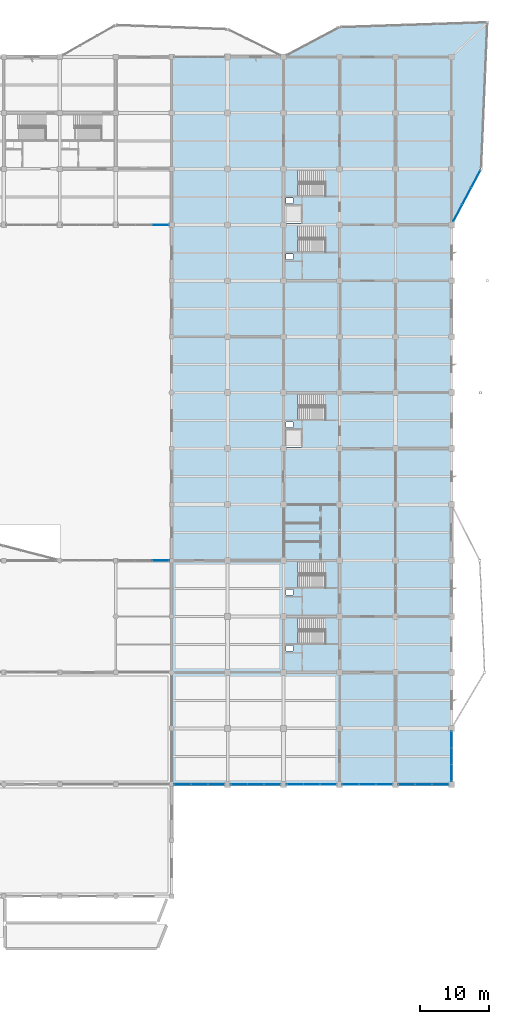
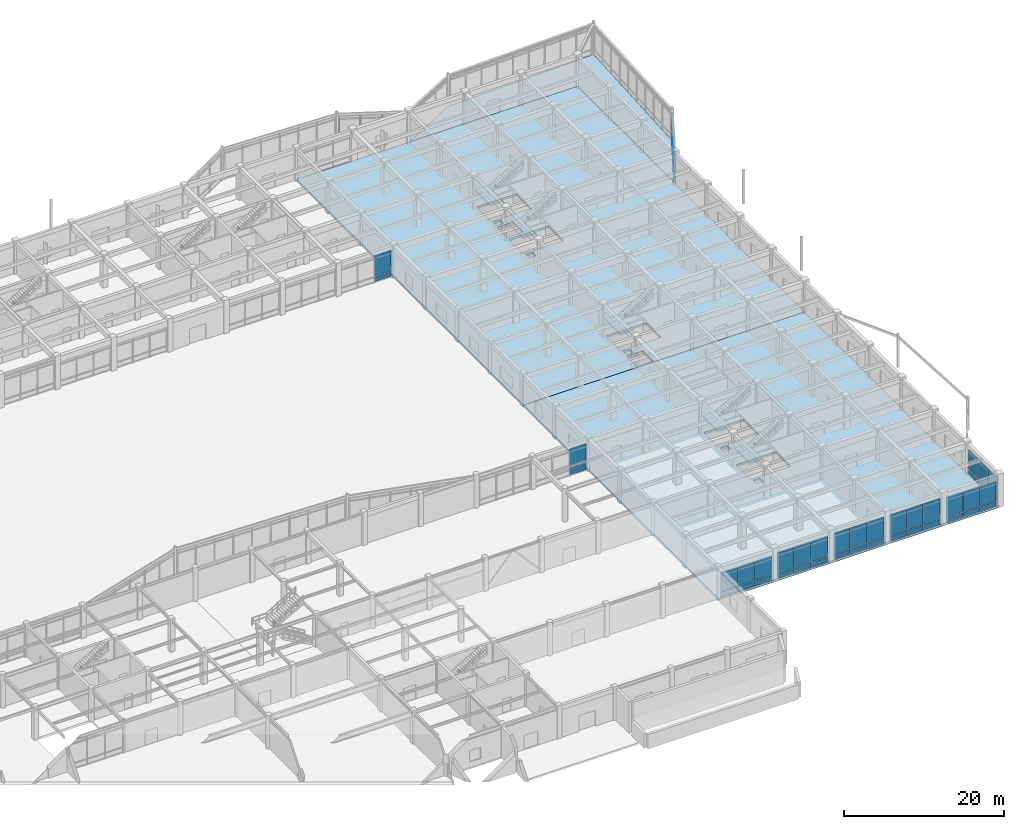
# One storey, part 55 of 99: 46 plates, 8 slabs, 14 elements without a shape of their own.
"""IFC4 building model written with IfcOpenShell, lengths in metres."""

from ifc_helpers import new_model, si_unit, direction, frame, origin, origin_2d, place, context, subcontext, project, spatial, polyline, rectangle, outline, extrude, material, layer, layer_set, type_object, element, aggregate, save


model = new_model("IFC4")

# Units and contexts
model_context = context("Model", 3, precision=1e-05, world=origin(), true_north=direction((0.0, 1.0)))
body_context = subcontext(model_context, "Body", "Model", "MODEL_VIEW")
ifc_project = project(units=[si_unit("LENGTHUNIT", "METRE"), si_unit("AREAUNIT", "SQUARE_METRE"), si_unit("VOLUMEUNIT", "CUBIC_METRE"), si_unit("PLANEANGLEUNIT", "RADIAN"), si_unit("MASSUNIT", "GRAM", prefix="KILO")], contexts=[model_context])

# Site, building, storey
site_placement = place(None, origin())
site = spatial("IfcSite", under=ifc_project, at=site_placement, CompositionType="ELEMENT")
building_placement = place(site_placement, origin())
building = spatial("IfcBuilding", under=site, at=building_placement, Name="Vaudrelin Polytechnic", CompositionType="ELEMENT")
storey_placement = place(building_placement, origin())
storey = spatial("IfcBuildingStorey", under=building, at=storey_placement, Name="L00", CompositionType="ELEMENT", Elevation=0.0)

# Curtain wall, plates
ifc_material_1 = material(Name="Thermally broken anodised aluminium AA 6063-T6 and low-e triple glazing", Category="aluminium")
ifc_layer_1 = layer(ifc_material_1, 0.199951171875)
ifc_layer_set_1 = layer_set([ifc_layer_1], Name="Thermally broken anodised aluminium AA 6063-T6 and low-e triple glazing")
curtain_wall_type_1 = type_object("IfcCurtainWallType", Name="CW-CW-LAB", PredefinedType="USERDEFINED", material=ifc_layer_set_1)
curtain_wall_1_placement = place(storey_placement, origin())
curtain_wall_1 = element("IfcCurtainWall", 1, at=curtain_wall_1_placement, inside=storey, type_object=curtain_wall_type_1, Name="Curtain wall L00 E_V4_00", ObjectType="CURTAIN WALL", PredefinedType="USERDEFINED")
ifc_material_2 = material(Name="Insulated ceramic-frit spandrel glass panel", Category="glass")
ifc_layer_2 = layer(ifc_material_2, 0.052001953125)
ifc_layer_set_2 = layer_set([ifc_layer_2], Name="Insulated ceramic-frit spandrel glass panel")
plate_type_1 = type_object("IfcPlateType", Name="PLT-GLZ-SPAND", PredefinedType="CURTAIN_PANEL", material=ifc_layer_set_2)
plate_1_placement = place(storey_placement, frame((170.10009765625, 17.83203125, 0.08984375), z_axis=(0.0, 0.0, 1.0), x_axis=(0.0, 1.0, 0.0)))
plate_1 = element("IfcPlate", 2, at=plate_1_placement, type_object=plate_type_1, Name="E_V4_00 spandrel panel 1", PredefinedType="CURTAIN_PANEL", context=body_context, shape_type="SweptSolid", body=[
    extrude(rectangle(XDim=2.318115234375, YDim=0.052001953125, at=origin_2d()), origin(), (0.0, 0.0, 1.0), 0.699951171875),
])
plate_2_placement = place(storey_placement, frame((170.10009765625, 20.25, 0.08984375), z_axis=(0.0, 0.0, 1.0), x_axis=(0.0, 1.0, 0.0)))
plate_2 = element("IfcPlate", 3, at=plate_2_placement, type_object=plate_type_1, Name="E_V4_00 spandrel panel 2", PredefinedType="CURTAIN_PANEL", context=body_context, shape_type="SweptSolid", body=[
    extrude(rectangle(XDim=2.318115234375, YDim=0.052001953125, at=origin_2d()), origin(), (0.0, 0.0, 1.0), 0.699951171875),
])
plate_3_placement = place(storey_placement, frame((170.10009765625, 22.66796875, 0.08984375), z_axis=(0.0, 0.0, 1.0), x_axis=(0.0, 1.0, 0.0)))
plate_3 = element("IfcPlate", 4, at=plate_3_placement, type_object=plate_type_1, Name="E_V4_00 spandrel panel 3", PredefinedType="CURTAIN_PANEL", context=body_context, shape_type="SweptSolid", body=[
    extrude(rectangle(XDim=2.318115234375, YDim=0.052001953125, at=origin_2d()), origin(), (0.0, 0.0, 1.0), 0.699951171875),
])

curtain_wall_2_placement = place(storey_placement, origin())
curtain_wall_2 = element("IfcCurtainWall", 5, at=curtain_wall_2_placement, inside=storey, type_object=curtain_wall_type_1, Name="Curtain wall L00 S_V4_00", ObjectType="CURTAIN WALL", PredefinedType="USERDEFINED")
plate_4_placement = place(storey_placement, frame((131.148681640625, 16.199951171875, 0.08984375), z_axis=(0.0, 0.0, 1.0), x_axis=(1.0, 0.0, 0.0)))
plate_4 = element("IfcPlate", 6, at=plate_4_placement, type_object=plate_type_1, Name="S_V4_00 spandrel panel 1", PredefinedType="CURTAIN_PANEL", context=body_context, shape_type="SweptSolid", body=[
    extrude(rectangle(XDim=2.351318359375, YDim=0.052001953125, at=origin_2d()), origin(), (0.0, 0.0, 1.0), 0.699951171875),
])
plate_5_placement = place(storey_placement, frame((133.60009765625, 16.199951171875, 0.08984375), z_axis=(0.0, 0.0, 1.0), x_axis=(1.0, 0.0, 0.0)))
plate_5 = element("IfcPlate", 7, at=plate_5_placement, type_object=plate_type_1, Name="S_V4_00 spandrel panel 2", PredefinedType="CURTAIN_PANEL", context=body_context, shape_type="SweptSolid", body=[
    extrude(rectangle(XDim=2.351318359375, YDim=0.052001953125, at=origin_2d()), origin(), (0.0, 0.0, 1.0), 0.699951171875),
])
plate_6_placement = place(storey_placement, frame((136.05126953125, 16.199951171875, 0.08984375), z_axis=(0.0, 0.0, 1.0), x_axis=(1.0, 0.0, 0.0)))
plate_6 = element("IfcPlate", 8, at=plate_6_placement, type_object=plate_type_1, Name="S_V4_00 spandrel panel 3", PredefinedType="CURTAIN_PANEL", context=body_context, shape_type="SweptSolid", body=[
    extrude(rectangle(XDim=2.351318359375, YDim=0.052001953125, at=origin_2d()), origin(), (0.0, 0.0, 1.0), 0.699951171875),
])

curtain_wall_3_placement = place(storey_placement, origin())
curtain_wall_3 = element("IfcCurtainWall", 9, at=curtain_wall_3_placement, inside=storey, type_object=curtain_wall_type_1, Name="Curtain wall L00 S_V4_01", ObjectType="CURTAIN WALL", PredefinedType="USERDEFINED")
plate_7_placement = place(storey_placement, frame((139.33203125, 16.199951171875, 0.08984375), z_axis=(0.0, 0.0, 1.0), x_axis=(1.0, 0.0, 0.0)))
plate_7 = element("IfcPlate", 10, at=plate_7_placement, type_object=plate_type_1, Name="S_V4_01 spandrel panel 1", PredefinedType="CURTAIN_PANEL", context=body_context, shape_type="SweptSolid", body=[
    extrude(rectangle(XDim=2.318115234375, YDim=0.052001953125, at=origin_2d()), origin(), (0.0, 0.0, 1.0), 0.699951171875),
])
plate_8_placement = place(storey_placement, frame((141.75, 16.199951171875, 0.08984375), z_axis=(0.0, 0.0, 1.0), x_axis=(1.0, 0.0, 0.0)))
plate_8 = element("IfcPlate", 11, at=plate_8_placement, type_object=plate_type_1, Name="S_V4_01 spandrel panel 2", PredefinedType="CURTAIN_PANEL", context=body_context, shape_type="SweptSolid", body=[
    extrude(rectangle(XDim=2.318115234375, YDim=0.052001953125, at=origin_2d()), origin(), (0.0, 0.0, 1.0), 0.699951171875),
])
plate_9_placement = place(storey_placement, frame((144.16796875, 16.199951171875, 0.08984375), z_axis=(0.0, 0.0, 1.0), x_axis=(1.0, 0.0, 0.0)))
plate_9 = element("IfcPlate", 12, at=plate_9_placement, type_object=plate_type_1, Name="S_V4_01 spandrel panel 3", PredefinedType="CURTAIN_PANEL", context=body_context, shape_type="SweptSolid", body=[
    extrude(rectangle(XDim=2.318115234375, YDim=0.052001953125, at=origin_2d()), origin(), (0.0, 0.0, 1.0), 0.699951171875),
])

curtain_wall_4_placement = place(storey_placement, origin())
curtain_wall_4 = element("IfcCurtainWall", 13, at=curtain_wall_4_placement, inside=storey, type_object=curtain_wall_type_1, Name="Curtain wall L00 S_V4_02", ObjectType="CURTAIN WALL", PredefinedType="USERDEFINED")
plate_10_placement = place(storey_placement, frame((147.431884765625, 16.199951171875, 0.08984375), z_axis=(0.0, 0.0, 1.0), x_axis=(1.0, 0.0, 0.0)))
plate_10 = element("IfcPlate", 14, at=plate_10_placement, type_object=plate_type_1, Name="S_V4_02 spandrel panel 1", PredefinedType="CURTAIN_PANEL", context=body_context, shape_type="SweptSolid", body=[
    extrude(rectangle(XDim=2.318115234375, YDim=0.052001953125, at=origin_2d()), origin(), (0.0, 0.0, 1.0), 0.699951171875),
])
plate_11_placement = place(storey_placement, frame((149.85009765625, 16.199951171875, 0.08984375), z_axis=(0.0, 0.0, 1.0), x_axis=(1.0, 0.0, 0.0)))
plate_11 = element("IfcPlate", 15, at=plate_11_placement, type_object=plate_type_1, Name="S_V4_02 spandrel panel 2", PredefinedType="CURTAIN_PANEL", context=body_context, shape_type="SweptSolid", body=[
    extrude(rectangle(XDim=2.318115234375, YDim=0.052001953125, at=origin_2d()), origin(), (0.0, 0.0, 1.0), 0.699951171875),
])
plate_12_placement = place(storey_placement, frame((152.26806640625, 16.199951171875, 0.08984375), z_axis=(0.0, 0.0, 1.0), x_axis=(1.0, 0.0, 0.0)))
plate_12 = element("IfcPlate", 16, at=plate_12_placement, type_object=plate_type_1, Name="S_V4_02 spandrel panel 3", PredefinedType="CURTAIN_PANEL", context=body_context, shape_type="SweptSolid", body=[
    extrude(rectangle(XDim=2.318115234375, YDim=0.052001953125, at=origin_2d()), origin(), (0.0, 0.0, 1.0), 0.699951171875),
])

curtain_wall_5_placement = place(storey_placement, origin())
curtain_wall_5 = element("IfcCurtainWall", 17, at=curtain_wall_5_placement, inside=storey, type_object=curtain_wall_type_1, Name="Curtain wall L00 S_V4_03", ObjectType="CURTAIN WALL", PredefinedType="USERDEFINED")
plate_13_placement = place(storey_placement, frame((155.531982421875, 16.199951171875, 0.08984375), z_axis=(0.0, 0.0, 1.0), x_axis=(1.0, 0.0, 0.0)))
plate_13 = element("IfcPlate", 18, at=plate_13_placement, type_object=plate_type_1, Name="S_V4_03 spandrel panel 1", PredefinedType="CURTAIN_PANEL", context=body_context, shape_type="SweptSolid", body=[
    extrude(rectangle(XDim=2.318115234375, YDim=0.052001953125, at=origin_2d()), origin(), (0.0, 0.0, 1.0), 0.699951171875),
])
plate_14_placement = place(storey_placement, frame((157.949951171875, 16.199951171875, 0.08984375), z_axis=(0.0, 0.0, 1.0), x_axis=(1.0, 0.0, 0.0)))
plate_14 = element("IfcPlate", 19, at=plate_14_placement, type_object=plate_type_1, Name="S_V4_03 spandrel panel 2", PredefinedType="CURTAIN_PANEL", context=body_context, shape_type="SweptSolid", body=[
    extrude(rectangle(XDim=2.318115234375, YDim=0.052001953125, at=origin_2d()), origin(), (0.0, 0.0, 1.0), 0.699951171875),
])
plate_15_placement = place(storey_placement, frame((160.367919921875, 16.199951171875, 0.08984375), z_axis=(0.0, 0.0, 1.0), x_axis=(1.0, 0.0, 0.0)))
plate_15 = element("IfcPlate", 20, at=plate_15_placement, type_object=plate_type_1, Name="S_V4_03 spandrel panel 3", PredefinedType="CURTAIN_PANEL", context=body_context, shape_type="SweptSolid", body=[
    extrude(rectangle(XDim=2.318115234375, YDim=0.052001953125, at=origin_2d()), origin(), (0.0, 0.0, 1.0), 0.699951171875),
])

curtain_wall_6_placement = place(storey_placement, origin())
curtain_wall_6 = element("IfcCurtainWall", 21, at=curtain_wall_6_placement, inside=storey, type_object=curtain_wall_type_1, Name="Curtain wall L00 S_V4_04", ObjectType="CURTAIN WALL", PredefinedType="USERDEFINED")
plate_16_placement = place(storey_placement, frame((163.632080078125, 16.199951171875, 0.08984375), z_axis=(0.0, 0.0, 1.0), x_axis=(1.0, 0.0, 0.0)))
plate_16 = element("IfcPlate", 22, at=plate_16_placement, type_object=plate_type_1, Name="S_V4_04 spandrel panel 1", PredefinedType="CURTAIN_PANEL", context=body_context, shape_type="SweptSolid", body=[
    extrude(rectangle(XDim=2.318115234375, YDim=0.052001953125, at=origin_2d()), origin(), (0.0, 0.0, 1.0), 0.699951171875),
])
plate_17_placement = place(storey_placement, frame((166.050048828125, 16.199951171875, 0.08984375), z_axis=(0.0, 0.0, 1.0), x_axis=(1.0, 0.0, 0.0)))
plate_17 = element("IfcPlate", 23, at=plate_17_placement, type_object=plate_type_1, Name="S_V4_04 spandrel panel 2", PredefinedType="CURTAIN_PANEL", context=body_context, shape_type="SweptSolid", body=[
    extrude(rectangle(XDim=2.318115234375, YDim=0.052001953125, at=origin_2d()), origin(), (0.0, 0.0, 1.0), 0.699951171875),
])
plate_18_placement = place(storey_placement, frame((168.468017578125, 16.199951171875, 0.08984375), z_axis=(0.0, 0.0, 1.0), x_axis=(1.0, 0.0, 0.0)))
plate_18 = element("IfcPlate", 24, at=plate_18_placement, type_object=plate_type_1, Name="S_V4_04 spandrel panel 3", PredefinedType="CURTAIN_PANEL", context=body_context, shape_type="SweptSolid", body=[
    extrude(rectangle(XDim=2.318115234375, YDim=0.052001953125, at=origin_2d()), origin(), (0.0, 0.0, 1.0), 0.699951171875),
])

# Curtain wall, plate
ifc_layer_3 = layer(ifc_material_1, 0.199951171875)
ifc_layer_set_3 = layer_set([ifc_layer_3], Name="Thermally broken anodised aluminium AA 6063-T6 and low-e triple glazing")
curtain_wall_type_2 = type_object("IfcCurtainWallType", Name="CW-CW-WG", PredefinedType="USERDEFINED", material=ifc_layer_set_3)
curtain_wall_7_placement = place(storey_placement, origin())
curtain_wall_7 = element("IfcCurtainWall", 25, at=curtain_wall_7_placement, inside=storey, type_object=curtain_wall_type_2, Name="Curtain wall L00 CT_S_10", ObjectType="CURTAIN WALL", PredefinedType="USERDEFINED")
plate_19_placement = place(storey_placement, frame((128.03466796875, 48.60009765625, 0.08984375), z_axis=(0.0, 0.0, 1.0), x_axis=(1.0, 0.0, 0.0)))
plate_19 = element("IfcPlate", 26, at=plate_19_placement, type_object=plate_type_1, Name="CT_S_10 spandrel panel 3", PredefinedType="CURTAIN_PANEL", context=body_context, shape_type="SweptSolid", body=[
    extrude(rectangle(XDim=2.384765625, YDim=0.052001953125, at=origin_2d()), origin(), (0.0, 0.0, 1.0), 0.699951171875),
])

ifc_layer_4 = layer(ifc_material_1, 0.199951171875)
ifc_layer_set_4 = layer_set([ifc_layer_4], Name="Thermally broken anodised aluminium AA 6063-T6 and low-e triple glazing")
curtain_wall_type_3 = type_object("IfcCurtainWallType", Name="CW-CW-LIB", PredefinedType="USERDEFINED", material=ifc_layer_set_4)
curtain_wall_8_placement = place(storey_placement, origin())
curtain_wall_8 = element("IfcCurtainWall", 27, at=curtain_wall_8_placement, inside=storey, type_object=curtain_wall_type_3, Name="Curtain wall L00 CT_N_11", ObjectType="CURTAIN WALL", PredefinedType="USERDEFINED")
plate_20_placement = place(storey_placement, frame((128.001220703125, 97.199951171875, 0.08984375), z_axis=(0.0, 0.0, 1.0), x_axis=(1.0, 0.0, 0.0)))
plate_20 = element("IfcPlate", 28, at=plate_20_placement, type_object=plate_type_1, Name="CT_N_11 spandrel panel 3", PredefinedType="CURTAIN_PANEL", context=body_context, shape_type="SweptSolid", body=[
    extrude(rectangle(XDim=2.351318359375, YDim=0.052001953125, at=origin_2d()), origin(), (0.0, 0.0, 1.0), 0.699951171875),
])

# Curtain wall, plates
curtain_wall_9_placement = place(storey_placement, origin())
curtain_wall_9 = element("IfcCurtainWall", 29, at=curtain_wall_9_placement, inside=storey, type_object=curtain_wall_type_1, Name="Curtain wall L00 NEP_4_0", ObjectType="CURTAIN WALL", PredefinedType="USERDEFINED")
plate_21_placement = place(storey_placement, frame((173.626953125, 103.84375, 0.08984375), z_axis=(0.0, 0.0, 1.0), x_axis=(-0.468890369298, -0.883256373642, 0.0)))
plate_21 = element("IfcPlate", 30, at=plate_21_placement, type_object=plate_type_1, Name="NEP_4_0 spandrel panel 1", PredefinedType="CURTAIN_PANEL", context=body_context, shape_type="SweptSolid", body=[
    extrude(rectangle(XDim=2.68212890625, YDim=0.052001953125, at=origin_2d()), origin(), (0.0, 0.0, 1.0), 0.699951171875),
])
plate_22_placement = place(storey_placement, frame((172.322509765625, 101.38623046875, 0.08984375), z_axis=(0.0, 0.0, 1.0), x_axis=(-0.468890369298, -0.883256373642, 0.0)))
plate_22 = element("IfcPlate", 31, at=plate_22_placement, type_object=plate_type_1, Name="NEP_4_0 spandrel panel 2", PredefinedType="CURTAIN_PANEL", context=body_context, shape_type="SweptSolid", body=[
    extrude(rectangle(XDim=2.68212890625, YDim=0.052001953125, at=origin_2d()), origin(), (0.0, 0.0, 1.0), 0.699951171875),
])
plate_23_placement = place(storey_placement, frame((171.017822265625, 98.9287109375, 0.08984375), z_axis=(0.0, 0.0, 1.0), x_axis=(-0.468890369298, -0.883256373642, 0.0)))
plate_23 = element("IfcPlate", 32, at=plate_23_placement, type_object=plate_type_1, Name="NEP_4_0 spandrel panel 3", PredefinedType="CURTAIN_PANEL", context=body_context, shape_type="SweptSolid", body=[
    extrude(rectangle(XDim=2.68212890625, YDim=0.052001953125, at=origin_2d()), origin(), (0.0, 0.0, 1.0), 0.699951171875),
])

# Plate
ifc_material_3 = material(Name="Triple low-e argon insulated glazing unit", Category="glass")
ifc_layer_5 = layer(ifc_material_3, 0.0439453125)
ifc_layer_set_5 = layer_set([ifc_layer_5], Name="Triple low-e argon insulated glazing unit")
plate_type_2 = type_object("IfcPlateType", Name="PLT-GLZ-TRIPLE", PredefinedType="CURTAIN_PANEL", material=ifc_layer_set_5)
plate_24_placement = place(storey_placement, frame((170.10009765625, 17.83203125, 0.89990234375), z_axis=(0.0, 0.0, 1.0), x_axis=(0.0, 1.0, 0.0)))
plate_24 = element("IfcPlate", 33, at=plate_24_placement, type_object=plate_type_2, Name="E_V4_00 vision panel 1", PredefinedType="CURTAIN_PANEL", context=body_context, shape_type="SweptSolid", body=[
    extrude(rectangle(XDim=2.318115234375, YDim=0.0439453125, at=origin_2d()), origin(), (0.0, 0.0, 1.0), 3.072021484375),
])

plate_25_placement = place(storey_placement, frame((170.10009765625, 20.25, 0.89990234375), z_axis=(0.0, 0.0, 1.0), x_axis=(0.0, 1.0, 0.0)))
plate_25 = element("IfcPlate", 34, at=plate_25_placement, type_object=plate_type_2, Name="E_V4_00 vision panel 2", PredefinedType="CURTAIN_PANEL", context=body_context, shape_type="SweptSolid", body=[
    extrude(rectangle(XDim=2.318115234375, YDim=0.0439453125, at=origin_2d()), origin(), (0.0, 0.0, 1.0), 3.072021484375),
])

plate_26_placement = place(storey_placement, frame((170.10009765625, 22.66796875, 0.89990234375), z_axis=(0.0, 0.0, 1.0), x_axis=(0.0, 1.0, 0.0)))
plate_26 = element("IfcPlate", 35, at=plate_26_placement, type_object=plate_type_2, Name="E_V4_00 vision panel 3", PredefinedType="CURTAIN_PANEL", context=body_context, shape_type="SweptSolid", body=[
    extrude(rectangle(XDim=2.318115234375, YDim=0.0439453125, at=origin_2d()), origin(), (0.0, 0.0, 1.0), 3.072021484375),
])

aggregate(curtain_wall_1, [plate_1, plate_24, plate_2, plate_25, plate_3, plate_26])

plate_27_placement = place(storey_placement, frame((131.148681640625, 16.199951171875, 0.89990234375), z_axis=(0.0, 0.0, 1.0), x_axis=(1.0, 0.0, 0.0)))
plate_27 = element("IfcPlate", 36, at=plate_27_placement, type_object=plate_type_2, Name="S_V4_00 vision panel 1", PredefinedType="CURTAIN_PANEL", context=body_context, shape_type="SweptSolid", body=[
    extrude(rectangle(XDim=2.351318359375, YDim=0.0439453125, at=origin_2d()), origin(), (0.0, 0.0, 1.0), 2.8720703125),
])

plate_28_placement = place(storey_placement, frame((133.60009765625, 16.199951171875, 0.89990234375), z_axis=(0.0, 0.0, 1.0), x_axis=(1.0, 0.0, 0.0)))
plate_28 = element("IfcPlate", 37, at=plate_28_placement, type_object=plate_type_2, Name="S_V4_00 vision panel 2", PredefinedType="CURTAIN_PANEL", context=body_context, shape_type="SweptSolid", body=[
    extrude(rectangle(XDim=2.351318359375, YDim=0.0439453125, at=origin_2d()), origin(), (0.0, 0.0, 1.0), 2.8720703125),
])

plate_29_placement = place(storey_placement, frame((136.05126953125, 16.199951171875, 0.89990234375), z_axis=(0.0, 0.0, 1.0), x_axis=(1.0, 0.0, 0.0)))
plate_29 = element("IfcPlate", 38, at=plate_29_placement, type_object=plate_type_2, Name="S_V4_00 vision panel 3", PredefinedType="CURTAIN_PANEL", context=body_context, shape_type="SweptSolid", body=[
    extrude(rectangle(XDim=2.351318359375, YDim=0.0439453125, at=origin_2d()), origin(), (0.0, 0.0, 1.0), 2.8720703125),
])

aggregate(curtain_wall_2, [plate_4, plate_27, plate_5, plate_28, plate_6, plate_29])

plate_30_placement = place(storey_placement, frame((139.33203125, 16.199951171875, 0.89990234375), z_axis=(0.0, 0.0, 1.0), x_axis=(1.0, 0.0, 0.0)))
plate_30 = element("IfcPlate", 39, at=plate_30_placement, type_object=plate_type_2, Name="S_V4_01 vision panel 1", PredefinedType="CURTAIN_PANEL", context=body_context, shape_type="SweptSolid", body=[
    extrude(rectangle(XDim=2.318115234375, YDim=0.0439453125, at=origin_2d()), origin(), (0.0, 0.0, 1.0), 3.072021484375),
])

plate_31_placement = place(storey_placement, frame((141.75, 16.199951171875, 0.89990234375), z_axis=(0.0, 0.0, 1.0), x_axis=(1.0, 0.0, 0.0)))
plate_31 = element("IfcPlate", 40, at=plate_31_placement, type_object=plate_type_2, Name="S_V4_01 vision panel 2", PredefinedType="CURTAIN_PANEL", context=body_context, shape_type="SweptSolid", body=[
    extrude(rectangle(XDim=2.318115234375, YDim=0.0439453125, at=origin_2d()), origin(), (0.0, 0.0, 1.0), 3.072021484375),
])

plate_32_placement = place(storey_placement, frame((144.16796875, 16.199951171875, 0.89990234375), z_axis=(0.0, 0.0, 1.0), x_axis=(1.0, 0.0, 0.0)))
plate_32 = element("IfcPlate", 41, at=plate_32_placement, type_object=plate_type_2, Name="S_V4_01 vision panel 3", PredefinedType="CURTAIN_PANEL", context=body_context, shape_type="SweptSolid", body=[
    extrude(rectangle(XDim=2.318115234375, YDim=0.0439453125, at=origin_2d()), origin(), (0.0, 0.0, 1.0), 3.072021484375),
])

aggregate(curtain_wall_3, [plate_7, plate_30, plate_8, plate_31, plate_9, plate_32])

plate_33_placement = place(storey_placement, frame((147.431884765625, 16.199951171875, 0.89990234375), z_axis=(0.0, 0.0, 1.0), x_axis=(1.0, 0.0, 0.0)))
plate_33 = element("IfcPlate", 42, at=plate_33_placement, type_object=plate_type_2, Name="S_V4_02 vision panel 1", PredefinedType="CURTAIN_PANEL", context=body_context, shape_type="SweptSolid", body=[
    extrude(rectangle(XDim=2.318115234375, YDim=0.0439453125, at=origin_2d()), origin(), (0.0, 0.0, 1.0), 3.172119140625),
])

plate_34_placement = place(storey_placement, frame((149.85009765625, 16.199951171875, 0.89990234375), z_axis=(0.0, 0.0, 1.0), x_axis=(1.0, 0.0, 0.0)))
plate_34 = element("IfcPlate", 43, at=plate_34_placement, type_object=plate_type_2, Name="S_V4_02 vision panel 2", PredefinedType="CURTAIN_PANEL", context=body_context, shape_type="SweptSolid", body=[
    extrude(rectangle(XDim=2.318115234375, YDim=0.0439453125, at=origin_2d()), origin(), (0.0, 0.0, 1.0), 3.172119140625),
])

plate_35_placement = place(storey_placement, frame((152.26806640625, 16.199951171875, 0.89990234375), z_axis=(0.0, 0.0, 1.0), x_axis=(1.0, 0.0, 0.0)))
plate_35 = element("IfcPlate", 44, at=plate_35_placement, type_object=plate_type_2, Name="S_V4_02 vision panel 3", PredefinedType="CURTAIN_PANEL", context=body_context, shape_type="SweptSolid", body=[
    extrude(rectangle(XDim=2.318115234375, YDim=0.0439453125, at=origin_2d()), origin(), (0.0, 0.0, 1.0), 3.172119140625),
])

aggregate(curtain_wall_4, [plate_10, plate_33, plate_11, plate_34, plate_12, plate_35])

plate_36_placement = place(storey_placement, frame((155.531982421875, 16.199951171875, 0.89990234375), z_axis=(0.0, 0.0, 1.0), x_axis=(1.0, 0.0, 0.0)))
plate_36 = element("IfcPlate", 45, at=plate_36_placement, type_object=plate_type_2, Name="S_V4_03 vision panel 1", PredefinedType="CURTAIN_PANEL", context=body_context, shape_type="SweptSolid", body=[
    extrude(rectangle(XDim=2.318115234375, YDim=0.0439453125, at=origin_2d()), origin(), (0.0, 0.0, 1.0), 3.172119140625),
])

plate_37_placement = place(storey_placement, frame((157.949951171875, 16.199951171875, 0.89990234375), z_axis=(0.0, 0.0, 1.0), x_axis=(1.0, 0.0, 0.0)))
plate_37 = element("IfcPlate", 46, at=plate_37_placement, type_object=plate_type_2, Name="S_V4_03 vision panel 2", PredefinedType="CURTAIN_PANEL", context=body_context, shape_type="SweptSolid", body=[
    extrude(rectangle(XDim=2.318115234375, YDim=0.0439453125, at=origin_2d()), origin(), (0.0, 0.0, 1.0), 3.172119140625),
])

plate_38_placement = place(storey_placement, frame((160.367919921875, 16.199951171875, 0.89990234375), z_axis=(0.0, 0.0, 1.0), x_axis=(1.0, 0.0, 0.0)))
plate_38 = element("IfcPlate", 47, at=plate_38_placement, type_object=plate_type_2, Name="S_V4_03 vision panel 3", PredefinedType="CURTAIN_PANEL", context=body_context, shape_type="SweptSolid", body=[
    extrude(rectangle(XDim=2.318115234375, YDim=0.0439453125, at=origin_2d()), origin(), (0.0, 0.0, 1.0), 3.172119140625),
])

aggregate(curtain_wall_5, [plate_13, plate_36, plate_14, plate_37, plate_15, plate_38])

plate_39_placement = place(storey_placement, frame((163.632080078125, 16.199951171875, 0.89990234375), z_axis=(0.0, 0.0, 1.0), x_axis=(1.0, 0.0, 0.0)))
plate_39 = element("IfcPlate", 48, at=plate_39_placement, type_object=plate_type_2, Name="S_V4_04 vision panel 1", PredefinedType="CURTAIN_PANEL", context=body_context, shape_type="SweptSolid", body=[
    extrude(rectangle(XDim=2.318115234375, YDim=0.0439453125, at=origin_2d()), origin(), (0.0, 0.0, 1.0), 2.971923828125),
])

plate_40_placement = place(storey_placement, frame((166.050048828125, 16.199951171875, 0.89990234375), z_axis=(0.0, 0.0, 1.0), x_axis=(1.0, 0.0, 0.0)))
plate_40 = element("IfcPlate", 49, at=plate_40_placement, type_object=plate_type_2, Name="S_V4_04 vision panel 2", PredefinedType="CURTAIN_PANEL", context=body_context, shape_type="SweptSolid", body=[
    extrude(rectangle(XDim=2.318115234375, YDim=0.0439453125, at=origin_2d()), origin(), (0.0, 0.0, 1.0), 2.971923828125),
])

plate_41_placement = place(storey_placement, frame((168.468017578125, 16.199951171875, 0.89990234375), z_axis=(0.0, 0.0, 1.0), x_axis=(1.0, 0.0, 0.0)))
plate_41 = element("IfcPlate", 50, at=plate_41_placement, type_object=plate_type_2, Name="S_V4_04 vision panel 3", PredefinedType="CURTAIN_PANEL", context=body_context, shape_type="SweptSolid", body=[
    extrude(rectangle(XDim=2.318115234375, YDim=0.0439453125, at=origin_2d()), origin(), (0.0, 0.0, 1.0), 2.971923828125),
])

aggregate(curtain_wall_6, [plate_16, plate_39, plate_17, plate_40, plate_18, plate_41])

plate_42_placement = place(storey_placement, frame((128.03466796875, 48.60009765625, 0.89990234375), z_axis=(0.0, 0.0, 1.0), x_axis=(1.0, 0.0, 0.0)))
plate_42 = element("IfcPlate", 51, at=plate_42_placement, type_object=plate_type_2, Name="CT_S_10 vision panel 3", PredefinedType="CURTAIN_PANEL", context=body_context, shape_type="SweptSolid", body=[
    extrude(rectangle(XDim=2.384765625, YDim=0.0439453125, at=origin_2d()), origin(), (0.0, 0.0, 1.0), 3.172119140625),
])

aggregate(curtain_wall_7, [plate_19, plate_42])

plate_43_placement = place(storey_placement, frame((128.001220703125, 97.199951171875, 0.89990234375), z_axis=(0.0, 0.0, 1.0), x_axis=(1.0, 0.0, 0.0)))
plate_43 = element("IfcPlate", 52, at=plate_43_placement, type_object=plate_type_2, Name="CT_N_11 vision panel 3", PredefinedType="CURTAIN_PANEL", context=body_context, shape_type="SweptSolid", body=[
    extrude(rectangle(XDim=2.351318359375, YDim=0.0439453125, at=origin_2d()), origin(), (0.0, 0.0, 1.0), 3.172119140625),
])

aggregate(curtain_wall_8, [plate_20, plate_43])

plate_44_placement = place(storey_placement, frame((173.626953125, 103.84375, 0.89990234375), z_axis=(0.0, 0.0, 1.0), x_axis=(-0.468890369298, -0.883256373642, 0.0)))
plate_44 = element("IfcPlate", 53, at=plate_44_placement, type_object=plate_type_2, Name="NEP_4_0 vision panel 1", PredefinedType="CURTAIN_PANEL", context=body_context, shape_type="SweptSolid", body=[
    extrude(rectangle(XDim=2.68212890625, YDim=0.0439453125, at=origin_2d()), origin(), (0.0, 0.0, 1.0), 3.489990234375),
])

plate_45_placement = place(storey_placement, frame((172.322509765625, 101.38623046875, 0.89990234375), z_axis=(0.0, 0.0, 1.0), x_axis=(-0.468890369298, -0.883256373642, 0.0)))
plate_45 = element("IfcPlate", 54, at=plate_45_placement, type_object=plate_type_2, Name="NEP_4_0 vision panel 2", PredefinedType="CURTAIN_PANEL", context=body_context, shape_type="SweptSolid", body=[
    extrude(rectangle(XDim=2.68212890625, YDim=0.0439453125, at=origin_2d()), origin(), (0.0, 0.0, 1.0), 3.489990234375),
])

plate_46_placement = place(storey_placement, frame((171.017822265625, 98.9287109375, 0.89990234375), z_axis=(0.0, 0.0, 1.0), x_axis=(-0.468890369298, -0.883256373642, 0.0)))
plate_46 = element("IfcPlate", 55, at=plate_46_placement, type_object=plate_type_2, Name="NEP_4_0 vision panel 3", PredefinedType="CURTAIN_PANEL", context=body_context, shape_type="SweptSolid", body=[
    extrude(rectangle(XDim=2.68212890625, YDim=0.0439453125, at=origin_2d()), origin(), (0.0, 0.0, 1.0), 3.489990234375),
])

aggregate(curtain_wall_9, [plate_21, plate_44, plate_22, plate_45, plate_23, plate_46])

# Stair, slab
ifc_material_4 = material(Name="Concrete 35 MPa", Category="concrete")
stair_type = type_object("IfcStairType", Name="STR-ST-CORE", PredefinedType="TWO_STRAIGHT_RUN_STAIR", material=ifc_material_4)
stair_1_placement = place(storey_placement, origin())
stair_1 = element("IfcStair", 56, at=stair_1_placement, inside=storey, type_object=stair_type, Name="Exit stair ST-06-L00", PredefinedType="TWO_STRAIGHT_RUN_STAIR")
ifc_layer_6 = layer(ifc_material_4, 0.219970703125)
ifc_layer_set_6 = layer_set([ifc_layer_6], Name="Concrete 35 MPa")
slab_type_1 = type_object("IfcSlabType", Name="SLB-LND220", PredefinedType="LANDING", material=ifc_layer_set_6)
slab_1_placement = place(storey_placement, frame((0.0, 0.0, 2.330078125)))
slab_1 = element("IfcSlab", 57, at=slab_1_placement, type_object=slab_type_1, Name="ST-06-L00 landing 1", PredefinedType="LANDING", context=body_context, shape_type="SweptSolid", body=[
    extrude(outline(polyline([(145.93994140625, 101.360107421875), (147.909912109375, 101.360107421875), (147.909912109375, 105.199951171875), (145.93994140625, 105.199951171875), (145.93994140625, 101.360107421875)])), origin(), (0.0, 0.0, 1.0), 0.219970703125),
])
aggregate(stair_1, [slab_1])

stair_2_placement = place(storey_placement, origin())
stair_2 = element("IfcStair", 58, at=stair_2_placement, inside=storey, type_object=stair_type, Name="Exit stair ST-07-L00", PredefinedType="TWO_STRAIGHT_RUN_STAIR")
slab_2_placement = place(storey_placement, frame((0.0, 0.0, 2.330078125)))
slab_2 = element("IfcSlab", 59, at=slab_2_placement, type_object=slab_type_1, Name="ST-07-L00 landing 1", PredefinedType="LANDING", context=body_context, shape_type="SweptSolid", body=[
    extrude(outline(polyline([(145.93994140625, 68.9599609375), (147.909912109375, 68.9599609375), (147.909912109375, 72.800048828125), (145.93994140625, 72.800048828125), (145.93994140625, 68.9599609375)])), origin(), (0.0, 0.0, 1.0), 0.219970703125),
])
aggregate(stair_2, [slab_2])

stair_3_placement = place(storey_placement, origin())
stair_3 = element("IfcStair", 60, at=stair_3_placement, inside=storey, type_object=stair_type, Name="Exit stair ST-08-L00", PredefinedType="TWO_STRAIGHT_RUN_STAIR")
slab_3_placement = place(storey_placement, frame((0.0, 0.0, 2.330078125)))
slab_3 = element("IfcSlab", 61, at=slab_3_placement, type_object=slab_type_1, Name="ST-08-L00 landing 1", PredefinedType="LANDING", context=body_context, shape_type="SweptSolid", body=[
    extrude(outline(polyline([(145.93994140625, 36.56005859375), (147.909912109375, 36.56005859375), (147.909912109375, 40.39990234375), (145.93994140625, 40.39990234375), (145.93994140625, 36.56005859375)])), origin(), (0.0, 0.0, 1.0), 0.219970703125),
])
aggregate(stair_3, [slab_3])

stair_4_placement = place(storey_placement, origin())
stair_4 = element("IfcStair", 62, at=stair_4_placement, inside=storey, type_object=stair_type, Name="Exit stair ST-12-L00", PredefinedType="TWO_STRAIGHT_RUN_STAIR")
slab_4_placement = place(storey_placement, frame((0.0, 0.0, 2.330078125)))
slab_4 = element("IfcSlab", 63, at=slab_4_placement, type_object=slab_type_1, Name="ST-12-L00 landing 1", PredefinedType="LANDING", context=body_context, shape_type="SweptSolid", body=[
    extrude(outline(polyline([(145.93994140625, 44.659912109375), (147.909912109375, 44.659912109375), (147.909912109375, 48.5), (145.93994140625, 48.5), (145.93994140625, 44.659912109375)])), origin(), (0.0, 0.0, 1.0), 0.219970703125),
])
aggregate(stair_4, [slab_4])

stair_5_placement = place(storey_placement, origin())
stair_5 = element("IfcStair", 64, at=stair_5_placement, inside=storey, type_object=stair_type, Name="Exit stair ST-13-L00", PredefinedType="TWO_STRAIGHT_RUN_STAIR")
slab_5_placement = place(storey_placement, frame((0.0, 0.0, 2.330078125)))
slab_5 = element("IfcSlab", 65, at=slab_5_placement, type_object=slab_type_1, Name="ST-13-L00 landing 1", PredefinedType="LANDING", context=body_context, shape_type="SweptSolid", body=[
    extrude(outline(polyline([(145.93994140625, 93.260009765625), (147.909912109375, 93.260009765625), (147.909912109375, 97.10009765625), (145.93994140625, 97.10009765625), (145.93994140625, 93.260009765625)])), origin(), (0.0, 0.0, 1.0), 0.219970703125),
])
aggregate(stair_5, [slab_5])

# Slabs
ifc_layer_7 = layer(ifc_material_4, 0.320068359375)
ifc_layer_set_7 = layer_set([ifc_layer_7], Name="Concrete 35 MPa")
slab_type_2 = type_object("IfcSlabType", Name="SLB-SL-F320", PredefinedType="FLOOR", material=ifc_layer_set_7)
slab_6_placement = place(storey_placement, frame((0.0, 0.0, -0.320068359375)))
element("IfcSlab", 66, at=slab_6_placement, inside=storey, type_object=slab_type_2, Name="L00 floor slab V4-S", PredefinedType="FLOOR", context=body_context, shape_type="SweptSolid", body=[
    extrude(outline(polyline([(129.60009765625, 16.199951171875), (170.10009765625, 16.199951171875), (170.10009765625, 64.800048828125), (129.60009765625, 64.800048828125), (129.60009765625, 16.199951171875)]), holes=[polyline([(146.050048828125, 36.610107421875), (151.800048828125, 36.610107421875), (151.800048828125, 40.25), (146.050048828125, 40.25), (146.050048828125, 36.610107421875)]), polyline([(146.179931640625, 35.47998046875), (147.179931640625, 35.47998046875), (147.179931640625, 36.280029296875), (146.179931640625, 36.280029296875), (146.179931640625, 35.47998046875)]), polyline([(146.050048828125, 44.7099609375), (151.800048828125, 44.7099609375), (151.800048828125, 48.35009765625), (146.050048828125, 48.35009765625), (146.050048828125, 44.7099609375)]), polyline([(146.179931640625, 43.580078125), (147.179931640625, 43.580078125), (147.179931640625, 44.3798828125), (146.179931640625, 44.3798828125), (146.179931640625, 43.580078125)])]), origin(), (0.0, 0.0, 1.0), 0.320068359375),
])
slab_7_placement = place(storey_placement, frame((0.0, 0.0, -0.320068359375)))
element("IfcSlab", 67, at=slab_7_placement, inside=storey, type_object=slab_type_2, Name="L00 floor slab V4-N", PredefinedType="FLOOR", context=body_context, shape_type="SweptSolid", body=[
    extrude(outline(polyline([(129.60009765625, 64.800048828125), (170.10009765625, 64.800048828125), (170.10009765625, 121.5), (129.60009765625, 121.5), (129.60009765625, 64.800048828125)]), holes=[polyline([(146.050048828125, 101.409912109375), (151.800048828125, 101.409912109375), (151.800048828125, 105.050048828125), (146.050048828125, 105.050048828125), (146.050048828125, 101.409912109375)]), polyline([(146.050048828125, 97.449951171875), (148.3798828125, 97.449951171875), (148.3798828125, 99.929931640625), (146.050048828125, 99.929931640625), (146.050048828125, 97.449951171875)]), polyline([(146.179931640625, 100.280029296875), (147.179931640625, 100.280029296875), (147.179931640625, 101.080078125), (146.179931640625, 101.080078125), (146.179931640625, 100.280029296875)]), polyline([(146.050048828125, 69.010009765625), (151.800048828125, 69.010009765625), (151.800048828125, 72.64990234375), (146.050048828125, 72.64990234375), (146.050048828125, 69.010009765625)]), polyline([(146.050048828125, 65.050048828125), (148.3798828125, 65.050048828125), (148.3798828125, 67.530029296875), (146.050048828125, 67.530029296875), (146.050048828125, 65.050048828125)]), polyline([(146.179931640625, 67.8798828125), (147.179931640625, 67.8798828125), (147.179931640625, 68.679931640625), (146.179931640625, 68.679931640625), (146.179931640625, 67.8798828125)]), polyline([(146.050048828125, 93.31005859375), (151.800048828125, 93.31005859375), (151.800048828125, 96.949951171875), (146.050048828125, 96.949951171875), (146.050048828125, 93.31005859375)]), polyline([(146.179931640625, 92.179931640625), (147.179931640625, 92.179931640625), (147.179931640625, 92.97998046875), (146.179931640625, 92.97998046875), (146.179931640625, 92.179931640625)])]), origin(), (0.0, 0.0, 1.0), 0.320068359375),
])
slab_8_placement = place(storey_placement, frame((0.0, 0.0, -0.320068359375)))
element("IfcSlab", 68, at=slab_8_placement, inside=storey, type_object=slab_type_2, Name="NE innovation prow floor slab L00", PredefinedType="FLOOR", context=body_context, shape_type="SweptSolid", body=[
    extrude(outline(polyline([(145.800048828125, 121.5), (153.89990234375, 125.800048828125), (175.300048828125, 126.5), (174.39990234375, 105.300048828125), (170.10009765625, 97.199951171875), (170.10009765625, 121.5), (145.800048828125, 121.5)])), origin(), (0.0, 0.0, 1.0), 0.320068359375),
])

save(model, "model.ifc")
